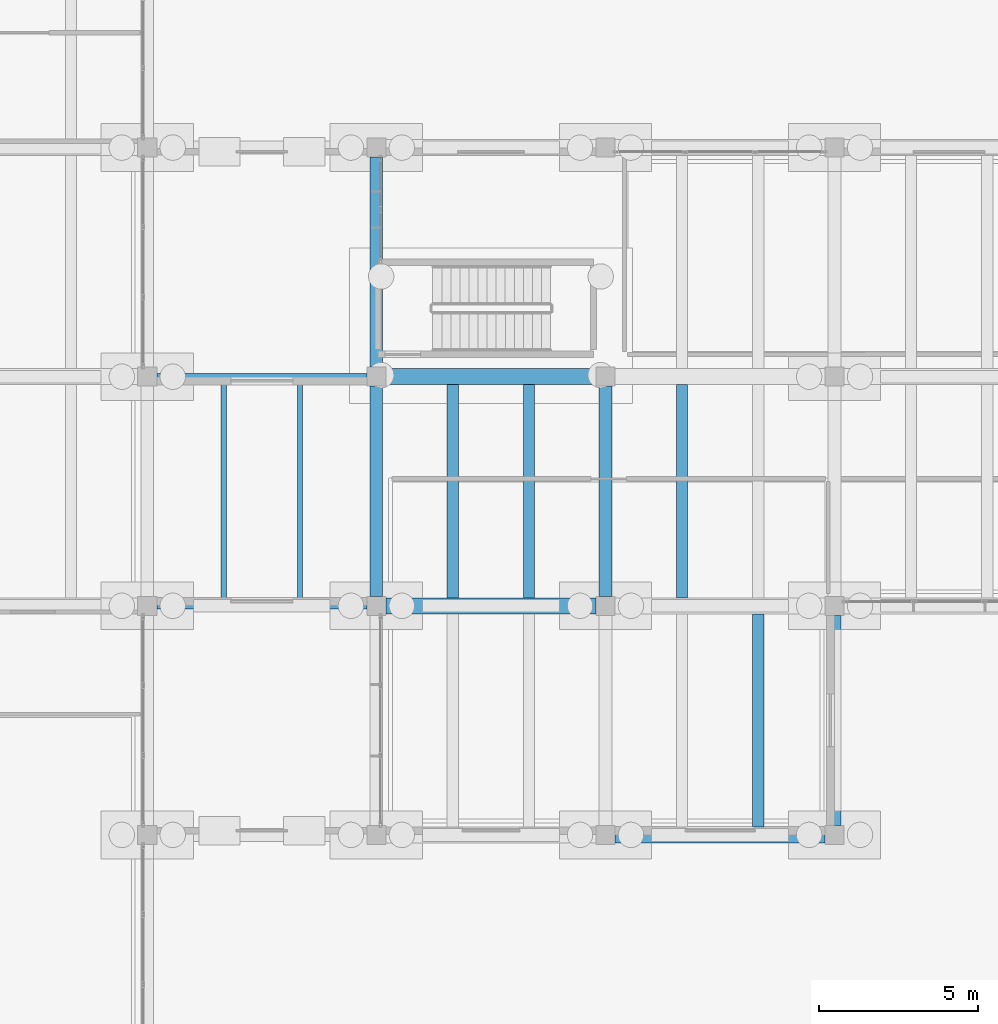
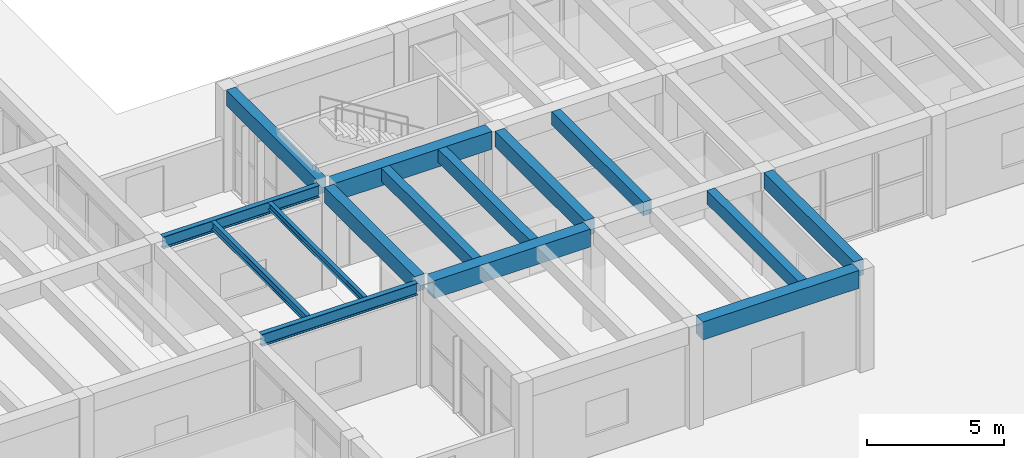
# One storey, part 51 of 155: 15 beams.
"""IFC4 building model written with IfcOpenShell, lengths in metres."""

from ifc_helpers import new_model, si_unit, direction, frame, origin, origin_2d, place, context, subcontext, project, spatial, rectangle, i_section, extrude, material, material_profile, profile_set, type_object, element, save


model = new_model("IFC4")

# Units and contexts
model_context = context("Model", 3, precision=1e-05, world=origin(), true_north=direction((0.0, 1.0)))
body_context = subcontext(model_context, "Body", "Model", "MODEL_VIEW")
ifc_project = project(units=[si_unit("LENGTHUNIT", "METRE"), si_unit("AREAUNIT", "SQUARE_METRE"), si_unit("VOLUMEUNIT", "CUBIC_METRE"), si_unit("PLANEANGLEUNIT", "RADIAN"), si_unit("MASSUNIT", "GRAM", prefix="KILO")], contexts=[model_context])

# Site, building, storey
site_placement = place(None, origin())
site = spatial("IfcSite", under=ifc_project, at=site_placement, CompositionType="ELEMENT")
building_placement = place(site_placement, origin())
building = spatial("IfcBuilding", under=site, at=building_placement, Name="Bramvelor Terrace Health Centre", CompositionType="ELEMENT")
storey_placement = place(building_placement, origin())
storey = spatial("IfcBuildingStorey", under=building, at=storey_placement, Name="L01", CompositionType="ELEMENT", Elevation=0.0)

# Beams
ifc_material_1 = material(Name="Concrete C40/50", Category="concrete")
ifc_material_profile_1 = material_profile(ifc_material_1, rectangle(XDim=0.39990234375, YDim=0.699951171875, at=origin_2d()), Name="RC 400x700")
ifc_profile_set_1 = profile_set([ifc_material_profile_1], Name="Concrete C40/50")
beam_type_1 = type_object("IfcBeamType", Name="BM-RC-G700", PredefinedType="BEAM", material=ifc_profile_set_1)
for number, where, z_axis, x_axis, name in (
    (1, (100.800048828125, 50.699951171875, 4.22998046875), (0.0, 1.0, 0.0), (-1.0, 0.0, 0.0), "L01 Floor Girder"),
    (2, (100.800048828125, 57.89990234375, 4.2099609375), (0.0, 1.0, 0.0), (-1.0, 0.0, 0.0), "L01 Floor Girder"),
    (3, (108.0, 50.699951171875, 4.2099609375), (0.0, 1.0, 0.0), (-1.0, 0.0, 0.0), "L01 Floor Girder"),
    (4, (115.199951171875, 43.5, 4.2099609375), (0.0, 1.0, 0.0), (-1.0, 0.0, 0.0), "L01 Floor Girder"),
):
    element("IfcBeam", number, at=place(storey_placement, frame(where, z_axis=z_axis, x_axis=x_axis)), inside=storey, type_object=beam_type_1, Name=name, PredefinedType="BEAM", context=body_context, shape_type="SweptSolid", body=[
        extrude(rectangle(XDim=0.39990234375, YDim=0.699951171875, at=origin_2d()), origin(), (0.0, 0.0, 1.0), 6.60009765625),
    ])
ifc_material_2 = material(Name="Concrete C40/50", Category="concrete")
ifc_material_profile_2 = material_profile(ifc_material_2, rectangle(XDim=0.5, YDim=0.800048828125, at=origin_2d()), Name="RC 500x800")
ifc_profile_set_2 = profile_set([ifc_material_profile_2], Name="Concrete C40/50")
beam_type_2 = type_object("IfcBeamType", Name="BM-RC-G800", PredefinedType="BEAM", material=ifc_profile_set_2)
for number, where, z_axis, x_axis, name in (
    (5, (101.10009765625, 50.39990234375, 4.159912109375), (1.0, 0.0, 0.0), (0.0, 1.0, 0.0), "L01 Floor Girder"),
    (6, (101.10009765625, 57.60009765625, 4.159912109375), (1.0, 0.0, 0.0), (0.0, 1.0, 0.0), "L01 Floor Girder"),
    (7, (108.300048828125, 43.199951171875, 4.159912109375), (1.0, 0.0, 0.0), (0.0, 1.0, 0.0), "L01 Floor Girder"),
):
    element("IfcBeam", number, at=place(storey_placement, frame(where, z_axis=z_axis, x_axis=x_axis)), inside=storey, type_object=beam_type_2, Name=name, PredefinedType="BEAM", context=body_context, shape_type="SweptSolid", body=[
        extrude(rectangle(XDim=0.5, YDim=0.800048828125, at=origin_2d()), origin(), (0.0, 0.0, 1.0), 6.599853515625),
    ])
ifc_material_3 = material(Name="Concrete C40/50", Category="concrete")
ifc_material_profile_3 = material_profile(ifc_material_3, rectangle(XDim=0.35009765625, YDim=0.60009765625, at=origin_2d()), Name="RC 350x600")
ifc_profile_set_3 = profile_set([ifc_material_profile_3], Name="Concrete C40/50")
beam_type_3 = type_object("IfcBeamType", Name="BM-RC-J600", PredefinedType="JOIST", material=ifc_profile_set_3)
for number, where, z_axis, x_axis, name in (
    (8, (103.199951171875, 50.64990234375, 4.260009765625), (0.0, 1.0, 0.0), (-1.0, 0.0, 0.0), "L01 Secondary Floor Joist"),
    (9, (105.60009765625, 50.64990234375, 4.260009765625), (0.0, 1.0, 0.0), (-1.0, 0.0, 0.0), "L01 Secondary Floor Joist"),
):
    element("IfcBeam", number, at=place(storey_placement, frame(where, z_axis=z_axis, x_axis=x_axis)), inside=storey, type_object=beam_type_3, Name=name, PredefinedType="JOIST", context=body_context, shape_type="SweptSolid", body=[
        extrude(rectangle(XDim=0.35009765625, YDim=0.60009765625, at=origin_2d()), origin(), (0.0, 0.0, 1.0), 6.7001953125),
    ])
beam_1_placement = place(storey_placement, frame((112.800048828125, 43.449951171875, 4.260009765625), z_axis=(0.0, 1.0, 0.0), x_axis=(-1.0, 0.0, 0.0)))
element("IfcBeam", 10, at=beam_1_placement, inside=storey, type_object=beam_type_3, Name="L01 Secondary Floor Joist", PredefinedType="JOIST", context=body_context, shape_type="SweptSolid", body=[
    extrude(rectangle(XDim=0.35009765625, YDim=0.60009765625, at=origin_2d()), origin(), (0.0, 0.0, 1.0), 6.699951171875),
])
beam_2_placement = place(storey_placement, frame((110.39990234375, 50.64990234375, 4.260009765625), z_axis=(0.0, 1.0, 0.0), x_axis=(-1.0, 0.0, 0.0)))
element("IfcBeam", 11, at=beam_2_placement, inside=storey, type_object=beam_type_3, Name="L01 Secondary Floor Joist", PredefinedType="JOIST", context=body_context, shape_type="SweptSolid", body=[
    extrude(rectangle(XDim=0.35009765625, YDim=0.60009765625, at=origin_2d()), origin(), (0.0, 0.0, 1.0), 6.7001953125),
])
ifc_material_4 = material(Name="Steel S355J2", Category="steel")
ifc_material_profile_4 = material_profile(ifc_material_4, i_section(OverallWidth=0.1650390625, OverallDepth=0.303466796875, WebThickness=0.006103515625, FlangeThickness=0.01025390625, FilletRadius=0.0087890625, at=origin_2d()), Name="UB 305x165x40")
ifc_profile_set_4 = profile_set([ifc_material_profile_4], Name="Steel S355J2")
beam_type_4 = type_object("IfcBeamType", Name="BM-STL-UB305", PredefinedType="JOIST", material=ifc_profile_set_4)
beam_3_placement = place(storey_placement, frame((98.39990234375, 50.504638671875, 4.42822265625), z_axis=(0.0, 1.0, 0.0), x_axis=(-1.0, 0.0, 0.0)))
element("IfcBeam", 12, at=beam_3_placement, inside=storey, type_object=beam_type_4, Name="L01 Secondary Floor Joist", PredefinedType="JOIST", context=body_context, shape_type="SweptSolid", body=[
    extrude(i_section(OverallWidth=0.1650390625, OverallDepth=0.303466796875, WebThickness=0.006103515625, FlangeThickness=0.01025390625, FilletRadius=0.0087890625, at=origin_2d()), origin(), (0.0, 0.0, 1.0), 6.99072265625),
])
ifc_material_5 = material(Name="Steel S355J2", Category="steel")
ifc_material_profile_5 = material_profile(ifc_material_5, i_section(OverallWidth=0.17138671875, OverallDepth=0.35498046875, WebThickness=0.00732421875, FlangeThickness=0.011474609375, FilletRadius=0.01025390625, at=origin_2d()), Name="UB 356x171x51")
ifc_profile_set_5 = profile_set([ifc_material_profile_5], Name="Steel S355J2")
beam_type_5 = type_object("IfcBeamType", Name="BM-STL-UB356", PredefinedType="JOIST", material=ifc_profile_set_5)
beam_4_placement = place(storey_placement, frame((96.0, 50.504638671875, 4.402587890625), z_axis=(0.0, 1.0, 0.0), x_axis=(-1.0, 0.0, 0.0)))
element("IfcBeam", 13, at=beam_4_placement, inside=storey, type_object=beam_type_5, Name="L01 Secondary Floor Joist", PredefinedType="JOIST", context=body_context, shape_type="SweptSolid", body=[
    extrude(i_section(OverallWidth=0.17138671875, OverallDepth=0.35498046875, WebThickness=0.00732421875, FlangeThickness=0.011474609375, FilletRadius=0.01025390625, at=origin_2d()), origin(), (0.0, 0.0, 1.0), 6.99072265625),
])
ifc_material_6 = material(Name="Steel S355J2", Category="steel")
ifc_material_profile_6 = material_profile(ifc_material_6, i_section(OverallWidth=0.209228515625, OverallDepth=0.533203125, WebThickness=0.010009765625, FlangeThickness=0.015625, FilletRadius=0.0126953125, at=origin_2d()), Name="UB 533x210x92")
ifc_profile_set_6 = profile_set([ifc_material_profile_6], Name="Steel S355J2")
beam_type_6 = type_object("IfcBeamType", Name="BM-STL-UB533", PredefinedType="BEAM", material=ifc_profile_set_6)
for number, where, z_axis, x_axis, name in (
    (14, (93.89990234375, 50.39990234375, 4.3134765625), (1.0, 0.0, 0.0), (0.0, 1.0, 0.0), "L01 Floor Girder"),
    (15, (93.89990234375, 57.60009765625, 4.3134765625), (1.0, 0.0, 0.0), (0.0, 1.0, 0.0), "L01 Floor Girder"),
):
    element("IfcBeam", number, at=place(storey_placement, frame(where, z_axis=z_axis, x_axis=x_axis)), inside=storey, type_object=beam_type_6, Name=name, PredefinedType="BEAM", context=body_context, shape_type="SweptSolid", body=[
        extrude(i_section(OverallWidth=0.209228515625, OverallDepth=0.533203125, WebThickness=0.010009765625, FlangeThickness=0.015625, FilletRadius=0.0126953125, at=origin_2d()), origin(), (0.0, 0.0, 1.0), 6.60009765625),
    ])

save(model, "model.ifc")
